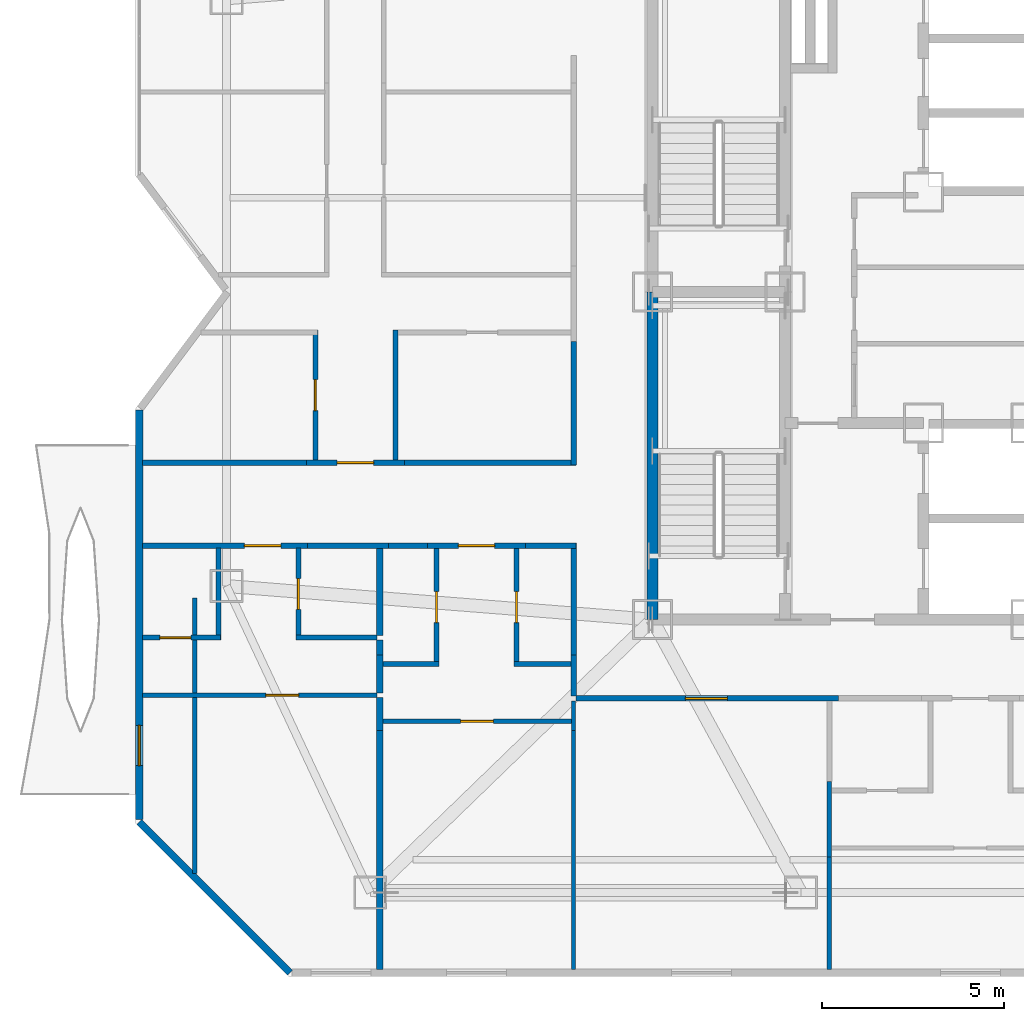
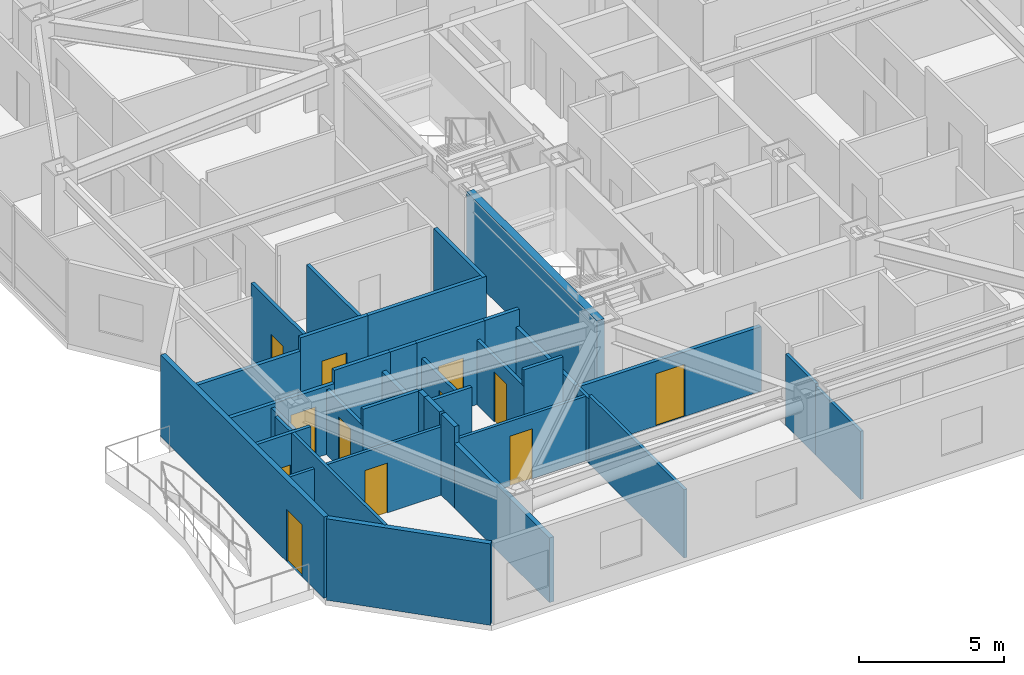
# One storey, part 14 of 21: 37 walls, 12 doors, 12 openings.
"""IFC4 building model written with IfcOpenShell, lengths in metres."""

from ifc_helpers import new_model, si_unit, direction, frame, frame_2d, origin, place, context, subcontext, project, spatial, rectangle, extrude, material, layer, layer_set, type_object, element, fill, save


model = new_model("IFC4")

# Units and contexts
model_context = context("Model", 3, precision=1e-05, world=origin(), true_north=direction((0.0, 1.0)))
body_context = subcontext(model_context, "Body", "Model", "MODEL_VIEW")
ifc_project = project(units=[si_unit("LENGTHUNIT", "METRE"), si_unit("AREAUNIT", "SQUARE_METRE"), si_unit("VOLUMEUNIT", "CUBIC_METRE"), si_unit("PLANEANGLEUNIT", "RADIAN"), si_unit("MASSUNIT", "GRAM", prefix="KILO")], contexts=[model_context])

# Site, building, storey
site_placement = place(None, origin())
site = spatial("IfcSite", under=ifc_project, at=site_placement, CompositionType="ELEMENT")
building_placement = place(site_placement, origin())
building = spatial("IfcBuilding", under=site, at=building_placement, Name="Khamvora Tower", CompositionType="ELEMENT")
storey_placement = place(building_placement, frame((0.0, 0.0, 159.550048828125)))
storey = spatial("IfcBuildingStorey", under=building, at=storey_placement, Name="L40", CompositionType="ELEMENT", Elevation=159.550048828125)

# Wall
ifc_material_1 = material(Name="Concrete C50/60", Category="concrete")
ifc_layer_1 = layer(ifc_material_1, 0.300048828125)
ifc_layer_set_1 = layer_set([ifc_layer_1], Name="Concrete C50/60")
wall_type_1 = type_object("IfcWallType", Name="WAL-CORE-300", PredefinedType="SHEAR", material=ifc_layer_set_1)
wall_1_placement = place(storey_placement, frame((29.0, 19.0, 0.0), z_axis=(0.0, 0.0, 1.0), x_axis=(0.0, 1.0, 0.0)))
element("IfcWall", 1, at=wall_1_placement, inside=storey, type_object=wall_type_1, Name="L40 central core west south wall", PredefinedType="SHEAR", context=body_context, shape_type="SweptSolid", body=[
    extrude(rectangle(XDim=9.0, YDim=0.300048828125, at=frame_2d((4.5, 0.0))), origin(), (0.0, 0.0, 1.0), 3.429931640625),
])

# Wall, opening, door
ifc_material_2 = material(Name="Fire-Rated Drywall and Steel Stud", Category="steel")
ifc_layer_2 = layer(ifc_material_2, 0.14990234375)
ifc_layer_set_2 = layer_set([ifc_layer_2], Name="Fire-Rated Drywall and Steel Stud")
wall_type_2 = type_object("IfcWallType", Name="WAL-CORR-150", PredefinedType="STANDARD", material=ifc_layer_set_2)
wall_2_placement = place(storey_placement, frame((34.114013671875, 16.8349609375, 0.0), z_axis=(0.0, 0.0, 1.0), x_axis=(-1.0, 0.0, 0.0)))
wall_2 = element("IfcWall", 2, at=wall_2_placement, inside=storey, type_object=wall_type_2, Name="L40 interior partition wall 007", PredefinedType="STANDARD", context=body_context, shape_type="SweptSolid", body=[
    extrude(rectangle(XDim=7.214111328125, YDim=0.14990234375, at=frame_2d((3.60693359375, 0.0))), origin(), (0.0, 0.0, 1.0), 2.724853515625),
])
opening_1_placement = place(wall_2_placement, frame((3.052978515625, 0.0, 0.0)))
opening_1 = element("IfcOpeningElement", 3, at=opening_1_placement, cuts=wall_2, Name="Opening D-SC1", PredefinedType="OPENING", context=body_context, shape_type="SweptSolid", body=[
    extrude(rectangle(XDim=1.14990234375, YDim=2.199951171875, at=frame_2d((0.574951171875, 1.10009765625))), frame((0.0, 0.0849609375, 0.0), z_axis=(0.0, -1.0, 0.0), x_axis=(1.0, 0.0, 0.0)), (0.0, 0.0, 1.0), 0.169921875),
])
ifc_material_3 = material(Name="Powder-Coated Steel and Hardwood Leaf", Category="steel")
door_type_1 = type_object("IfcDoorType", Name="DOR-SCHL-1150", OperationType="NOTDEFINED", PredefinedType="DOOR", material=ifc_material_3)
door_1_placement = place(opening_1_placement, origin())
door_1 = element("IfcDoor", 4, at=door_1_placement, inside=storey, type_object=door_type_1, Name="L40 interior door COR-RLIB", OperationType="SINGLE_SWING_LEFT", OverallHeight=2.199951171875, OverallWidth=1.14990234375, PredefinedType="DOOR", context=body_context, shape_type="SweptSolid", body=[
    extrude(rectangle(XDim=1.14990234375, YDim=2.199951171875, at=frame_2d((0.574951171875, 1.10009765625))), frame((0.0, 0.02490234375, 0.0), z_axis=(0.0, -1.0, 0.0), x_axis=(1.0, 0.0, 0.0)), (0.0, 0.0, 1.0), 0.050048828125),
])
fill(opening_1, door_1)

wall_3_placement = place(storey_placement, frame((19.52392578125, 21.034912109375, 0.0), z_axis=(0.0, 0.0, 1.0), x_axis=(-1.0, 0.0, 0.0)))
wall_3 = element("IfcWall", 5, at=wall_3_placement, inside=storey, type_object=wall_type_2, Name="L40 interior partition wall 008", PredefinedType="STANDARD", context=body_context, shape_type="SweptSolid", body=[
    extrude(rectangle(XDim=4.531982421875, YDim=0.14990234375, at=frame_2d((2.26611328125, 0.0))), origin(), (0.0, 0.0, 1.0), 2.8759765625),
])
opening_2_placement = place(wall_3_placement, frame((0.73388671875, 0.0, 0.0)))
opening_2 = element("IfcOpeningElement", 6, at=opening_2_placement, cuts=wall_3, Name="Opening D-U1", PredefinedType="OPENING", context=body_context, shape_type="SweptSolid", body=[
    extrude(rectangle(XDim=1.0, YDim=2.14990234375, at=frame_2d((0.5, 1.074951171875))), frame((0.0, 0.0849609375, 0.0), z_axis=(0.0, -1.0, 0.0), x_axis=(1.0, 0.0, 0.0)), (0.0, 0.0, 1.0), 0.169921875),
])
door_type_2 = type_object("IfcDoorType", Name="DOR-UNIT-1000", OperationType="NOTDEFINED", PredefinedType="DOOR", material=ifc_material_3)
door_2_placement = place(opening_2_placement, origin())
door_2 = element("IfcDoor", 7, at=door_2_placement, inside=storey, type_object=door_type_2, Name="L40 interior door COR-40WAH", OperationType="SINGLE_SWING_LEFT", OverallHeight=2.14990234375, OverallWidth=1.0, PredefinedType="DOOR", context=body_context, shape_type="SweptSolid", body=[
    extrude(rectangle(XDim=1.0, YDim=2.14990234375, at=frame_2d((0.5, 1.074951171875))), frame((0.0, 0.02490234375, 0.0), z_axis=(0.0, -1.0, 0.0), x_axis=(1.0, 0.0, 0.0)), (0.0, 0.0, 1.0), 0.050048828125),
])
fill(opening_2, door_2)

# Walls
wall_4_placement = place(storey_placement, frame((21.75390625, 21.034912109375, 0.0), z_axis=(0.0, 0.0, 1.0), x_axis=(-1.0, 0.0, 0.0)))
element("IfcWall", 8, at=wall_4_placement, inside=storey, type_object=wall_type_2, Name="L40 interior partition wall 009", PredefinedType="STANDARD", context=body_context, shape_type="SweptSolid", body=[
    extrude(rectangle(XDim=2.22998046875, YDim=0.14990234375, at=frame_2d((1.114990234375, 0.0))), origin(), (0.0, 0.0, 1.0), 3.429931640625),
])
wall_5_placement = place(storey_placement, frame((26.8349609375, 16.89990234375, 0.0), z_axis=(0.0, 0.0, 1.0), x_axis=(0.0, 1.0, 0.0)))
element("IfcWall", 9, at=wall_5_placement, inside=storey, type_object=wall_type_2, Name="L40 interior partition wall 010", PredefinedType="STANDARD", context=body_context, shape_type="SweptSolid", body=[
    extrude(rectangle(XDim=1.135009765625, YDim=0.14990234375, at=frame_2d((0.5673828125, 0.0))), origin(), (0.0, 0.0, 1.0), 2.724853515625),
])

# Wall, opening, door
wall_6_placement = place(storey_placement, frame((25.51904296875, 21.034912109375, 0.0), z_axis=(0.0, 0.0, 1.0), x_axis=(-1.0, 0.0, 0.0)))
wall_6 = element("IfcWall", 10, at=wall_6_placement, inside=storey, type_object=wall_type_2, Name="L40 interior partition wall 011", PredefinedType="STANDARD", context=body_context, shape_type="SweptSolid", body=[
    extrude(rectangle(XDim=2.697998046875, YDim=0.14990234375, at=frame_2d((1.34912109375, 0.0))), origin(), (0.0, 0.0, 1.0), 3.429931640625),
])
opening_3_placement = place(wall_6_placement, frame((0.84912109375, 0.0, 0.0)))
opening_3 = element("IfcOpeningElement", 11, at=opening_3_placement, cuts=wall_6, Name="Opening D-U1", PredefinedType="OPENING", context=body_context, shape_type="SweptSolid", body=[
    extrude(rectangle(XDim=1.0, YDim=2.14990234375, at=frame_2d((0.5, 1.074951171875))), frame((0.0, 0.0849609375, 0.0), z_axis=(0.0, -1.0, 0.0), x_axis=(1.0, 0.0, 0.0)), (0.0, 0.0, 1.0), 0.169921875),
])
door_3_placement = place(opening_3_placement, origin())
door_3 = element("IfcDoor", 12, at=door_3_placement, inside=storey, type_object=door_type_2, Name="L40 interior door COR-40WBH", OperationType="SINGLE_SWING_RIGHT", OverallHeight=2.14990234375, OverallWidth=1.0, PredefinedType="DOOR", context=body_context, shape_type="SweptSolid", body=[
    extrude(rectangle(XDim=1.0, YDim=2.14990234375, at=frame_2d((0.5, 1.074951171875))), frame((0.0, 0.02490234375, 0.0), z_axis=(0.0, -1.0, 0.0), x_axis=(1.0, 0.0, 0.0)), (0.0, 0.0, 1.0), 0.050048828125),
])
fill(opening_3, door_3)

# Walls
wall_7_placement = place(storey_placement, frame((26.8349609375, 18.034912109375, 0.0), z_axis=(0.0, 0.0, 1.0), x_axis=(0.0, 1.0, 0.0)))
element("IfcWall", 13, at=wall_7_placement, inside=storey, type_object=wall_type_2, Name="L40 interior partition wall 012", PredefinedType="STANDARD", context=body_context, shape_type="SweptSolid", body=[
    extrude(rectangle(XDim=3.065185546875, YDim=0.14990234375, at=frame_2d((1.53271484375, 0.0))), origin(), (0.0, 0.0, 1.0), 2.724853515625),
])
wall_8_placement = place(storey_placement, frame((26.89794921875, 21.034912109375, 0.0), z_axis=(0.0, 0.0, 1.0), x_axis=(-1.0, 0.0, 0.0)))
element("IfcWall", 14, at=wall_8_placement, inside=storey, type_object=wall_type_2, Name="L40 interior partition wall 013", PredefinedType="STANDARD", context=body_context, shape_type="SweptSolid", body=[
    extrude(rectangle(XDim=1.37890625, YDim=0.14990234375, at=frame_2d((0.689453125, 0.0))), origin(), (0.0, 0.0, 1.0), 3.429931640625),
])
wall_9_placement = place(storey_placement, frame((22.821044921875, 21.034912109375, 0.0), z_axis=(0.0, 0.0, 1.0), x_axis=(-1.0, 0.0, 0.0)))
element("IfcWall", 15, at=wall_9_placement, inside=storey, type_object=wall_type_2, Name="L40 interior partition wall 014", PredefinedType="STANDARD", context=body_context, shape_type="SweptSolid", body=[
    extrude(rectangle(XDim=1.067138671875, YDim=0.14990234375, at=frame_2d((0.53369140625, 0.0))), origin(), (0.0, 0.0, 1.0), 3.429931640625),
])

# Wall, opening, door
wall_10_placement = place(storey_placement, frame((19.490966796875, 23.31494140625, 0.0), z_axis=(0.0, 0.0, 1.0), x_axis=(1.0, 0.0, 0.0)))
wall_10 = element("IfcWall", 16, at=wall_10_placement, inside=storey, type_object=wall_type_2, Name="L40 interior partition wall 015", PredefinedType="STANDARD", context=body_context, shape_type="SweptSolid", body=[
    extrude(rectangle(XDim=2.697998046875, YDim=0.14990234375, at=frame_2d((1.34912109375, 0.0))), origin(), (0.0, 0.0, 1.0), 3.429931640625),
])
opening_4_placement = place(wall_10_placement, frame((0.84912109375, 0.0, 0.0)))
opening_4 = element("IfcOpeningElement", 17, at=opening_4_placement, cuts=wall_10, Name="Opening D-U1", PredefinedType="OPENING", context=body_context, shape_type="SweptSolid", body=[
    extrude(rectangle(XDim=1.0, YDim=2.14990234375, at=frame_2d((0.5, 1.074951171875))), frame((0.0, 0.0849609375, 0.0), z_axis=(0.0, -1.0, 0.0), x_axis=(1.0, 0.0, 0.0)), (0.0, 0.0, 1.0), 0.169921875),
])
door_4_placement = place(opening_4_placement, origin())
door_4 = element("IfcDoor", 18, at=door_4_placement, inside=storey, type_object=door_type_2, Name="L40 interior door COR-40WCH", OperationType="SINGLE_SWING_LEFT", OverallHeight=2.14990234375, OverallWidth=1.0, PredefinedType="DOOR", context=body_context, shape_type="SweptSolid", body=[
    extrude(rectangle(XDim=1.0, YDim=2.14990234375, at=frame_2d((0.5, 1.074951171875))), frame((0.0, 0.02490234375, 0.0), z_axis=(0.0, -1.0, 0.0), x_axis=(1.0, 0.0, 0.0)), (0.0, 0.0, 1.0), 0.050048828125),
])
fill(opening_4, door_4)

# Walls
wall_11_placement = place(storey_placement, frame((14.991943359375, 23.31494140625, 0.0), z_axis=(0.0, 0.0, 1.0), x_axis=(1.0, 0.0, 0.0)))
element("IfcWall", 19, at=wall_11_placement, inside=storey, type_object=wall_type_2, Name="L40 interior partition wall 017", PredefinedType="STANDARD", context=body_context, shape_type="SweptSolid", body=[
    extrude(rectangle(XDim=4.4990234375, YDim=0.14990234375, at=frame_2d((2.24951171875, 0.0))), origin(), (0.0, 0.0, 1.0), 2.8759765625),
])
wall_12_placement = place(storey_placement, frame((22.18896484375, 23.31494140625, 0.0), z_axis=(0.0, 0.0, 1.0), x_axis=(1.0, 0.0, 0.0)))
element("IfcWall", 20, at=wall_12_placement, inside=storey, type_object=wall_type_2, Name="L40 interior partition wall 018", PredefinedType="STANDARD", context=body_context, shape_type="SweptSolid", body=[
    extrude(rectangle(XDim=4.7109375, YDim=0.14990234375, at=frame_2d((2.35546875, 0.0))), origin(), (0.0, 0.0, 1.0), 3.429931640625),
])
wall_13_placement = place(storey_placement, frame((26.8349609375, 23.25, 0.0), z_axis=(0.0, 0.0, 1.0), x_axis=(0.0, 1.0, 0.0)))
element("IfcWall", 21, at=wall_13_placement, inside=storey, type_object=wall_type_2, Name="L40 interior partition wall 019", PredefinedType="STANDARD", context=body_context, shape_type="SweptSolid", body=[
    extrude(rectangle(XDim=3.39599609375, YDim=0.14990234375, at=frame_2d((1.697998046875, 0.0))), origin(), (0.0, 0.0, 1.0), 3.429931640625),
])
ifc_material_4 = material(Name="Acoustic Double-Stud Fire Wall", Category="gypsum")
ifc_layer_3 = layer(ifc_material_4, 0.179931640625)
ifc_layer_set_3 = layer_set([ifc_layer_3], Name="Acoustic Double-Stud Fire Wall")
wall_type_3 = type_object("IfcWallType", Name="WAL-CORR-180", PredefinedType="STANDARD", material=ifc_layer_set_3)
wall_14_placement = place(storey_placement, frame((21.5048828125, 18.034912109375, 0.0), z_axis=(0.0, 0.0, 1.0), x_axis=(0.0, -1.0, 0.0)))
element("IfcWall", 22, at=wall_14_placement, inside=storey, type_object=wall_type_3, Name="L40 interior partition wall 057", PredefinedType="STANDARD", context=body_context, shape_type="SweptSolid", body=[
    extrude(rectangle(XDim=1.044921875, YDim=0.179931640625, at=frame_2d((0.5224609375, 0.0))), origin(), (0.0, 0.0, 1.0), 3.429931640625),
])
wall_15_placement = place(storey_placement, frame((21.5048828125, 18.43994140625, 0.0), z_axis=(0.0, 0.0, 1.0), x_axis=(0.0, -1.0, 0.0)))
element("IfcWall", 23, at=wall_15_placement, inside=storey, type_object=wall_type_3, Name="L40 interior partition wall 058", PredefinedType="STANDARD", context=body_context, shape_type="SweptSolid", body=[
    extrude(rectangle(XDim=0.405029296875, YDim=0.179931640625, at=frame_2d((0.20263671875, 0.0))), origin(), (0.0, 0.0, 1.0), 3.429931640625),
])
wall_16_placement = place(storey_placement, frame((21.5048828125, 20.969970703125, 0.0), z_axis=(0.0, 0.0, 1.0), x_axis=(0.0, -1.0, 0.0)))
element("IfcWall", 24, at=wall_16_placement, inside=storey, type_object=wall_type_3, Name="L40 interior partition wall 059", PredefinedType="STANDARD", context=body_context, shape_type="SweptSolid", body=[
    extrude(rectangle(XDim=2.39990234375, YDim=0.179931640625, at=frame_2d((1.199951171875, 0.0))), origin(), (0.0, 0.0, 1.0), 2.724853515625),
])
wall_17_placement = place(storey_placement, frame((21.5048828125, 16.860107421875, 0.0), z_axis=(0.0, 0.0, 1.0), x_axis=(0.0, -1.0, 0.0)))
element("IfcWall", 25, at=wall_17_placement, inside=storey, type_object=wall_type_3, Name="L40 interior partition wall 060", PredefinedType="STANDARD", context=body_context, shape_type="SweptSolid", body=[
    extrude(rectangle(XDim=0.903076171875, YDim=0.179931640625, at=frame_2d((0.45166015625, 0.0))), origin(), (0.0, 0.0, 1.0), 3.429931640625),
])
wall_18_placement = place(storey_placement, frame((21.5048828125, 15.95703125, 0.0), z_axis=(0.0, 0.0, 1.0), x_axis=(0.0, -1.0, 0.0)))
element("IfcWall", 26, at=wall_18_placement, inside=storey, type_object=wall_type_3, Name="L40 interior partition wall 061", PredefinedType="STANDARD", context=body_context, shape_type="SweptSolid", body=[
    extrude(rectangle(XDim=6.56494140625, YDim=0.179931640625, at=frame_2d((3.282470703125, 0.0))), origin(), (0.0, 0.0, 1.0), 2.724853515625),
])
ifc_material_5 = material(Name="Precast concrete C40/50", Category="concrete")
ifc_layer_4 = layer(ifc_material_5, 0.199951171875)
ifc_layer_set_4 = layer_set([ifc_layer_4], Name="Precast concrete C40/50")
wall_type_4 = type_object("IfcWallType", Name="WAL-EXT-200", PredefinedType="STANDARD", material=ifc_layer_set_4)
wall_19_placement = place(storey_placement, frame((19.041015625, 9.300048828125, 0.0), z_axis=(0.0, 0.0, 1.0), x_axis=(-0.707127625344, 0.707085936414, 0.0)))
element("IfcWall", 27, at=wall_19_placement, inside=storey, type_object=wall_type_4, Name="L40 exterior facade wall 01.1", PredefinedType="STANDARD", context=body_context, shape_type="SweptSolid", body=[
    extrude(rectangle(XDim=5.856201171875, YDim=0.199951171875, at=frame_2d((2.92822265625, 0.0))), origin(), (0.0, 0.0, 1.0), 3.429931640625),
])

# Wall, opening, door
wall_20_placement = place(storey_placement, frame((14.89990234375, 13.50390625, 0.0), z_axis=(0.0, 0.0, 1.0), x_axis=(0.0, 1.0, 0.0)))
wall_20 = element("IfcWall", 28, at=wall_20_placement, inside=storey, type_object=wall_type_4, Name="L40 exterior facade wall 02.1", PredefinedType="STANDARD", context=body_context, shape_type="SweptSolid", body=[
    extrude(rectangle(XDim=11.26318359375, YDim=0.199951171875, at=frame_2d((5.631591796875, 0.0))), origin(), (0.0, 0.0, 1.0), 3.429931640625),
])
opening_5_placement = place(wall_20_placement, frame((1.488037109375, 0.0, 0.0)))
opening_5 = element("IfcOpeningElement", 29, at=opening_5_placement, cuts=wall_20, Name="Opening BD-01", PredefinedType="OPENING", context=body_context, shape_type="SweptSolid", body=[
    extrude(rectangle(XDim=1.10009765625, YDim=2.199951171875, at=frame_2d((0.550048828125, 1.10009765625))), frame((0.0, 0.10986328125, 0.0), z_axis=(0.0, -1.0, 0.0), x_axis=(1.0, 0.0, 0.0)), (0.0, 0.0, 1.0), 0.219970703125),
])
ifc_material_6 = material(Name="Anodised Aluminium and Laminated Safety Glass", Category="aluminium")
door_type_3 = type_object("IfcDoorType", Name="DOR-BAL-1100", OperationType="NOTDEFINED", PredefinedType="DOOR", material=ifc_material_6)
door_5_placement = place(opening_5_placement, origin())
door_5 = element("IfcDoor", 30, at=door_5_placement, inside=storey, type_object=door_type_3, Name="L40 lens gallery balcony door WL1", OperationType="SLIDING_TO_LEFT", OverallHeight=2.199951171875, OverallWidth=1.10009765625, PredefinedType="DOOR", context=body_context, shape_type="SweptSolid", body=[
    extrude(rectangle(XDim=1.10009765625, YDim=2.199951171875, at=frame_2d((0.550048828125, 1.10009765625))), frame((0.0, 0.02490234375, 0.0), z_axis=(0.0, -1.0, 0.0), x_axis=(1.0, 0.0, 0.0)), (0.0, 0.0, 1.0), 0.050048828125),
])
fill(opening_5, door_5)

# Walls
ifc_material_7 = material(Name="Gypsum Plasterboard Partition", Category="gypsum")
ifc_layer_5 = layer(ifc_material_7, 0.1201171875)
ifc_layer_set_5 = layer_set([ifc_layer_5], Name="Gypsum Plasterboard Partition")
wall_type_5 = type_object("IfcWallType", Name="WAL-PART-120", PredefinedType="PARTITIONING", material=ifc_layer_set_5)
wall_21_placement = place(storey_placement, frame((26.8349609375, 15.95703125, 0.0), z_axis=(0.0, 0.0, 1.0), x_axis=(0.0, 1.0, 0.0)))
element("IfcWall", 31, at=wall_21_placement, inside=storey, type_object=wall_type_5, Name="L40 interior partition wall 046", PredefinedType="PARTITIONING", context=body_context, shape_type="SweptSolid", body=[
    extrude(rectangle(XDim=0.81298828125, YDim=0.1201171875, at=frame_2d((0.406494140625, 0.0))), origin(), (0.0, 0.0, 1.0), 2.724853515625),
])
wall_22_placement = place(storey_placement, frame((26.8349609375, 9.39208984375, 0.0), z_axis=(0.0, 0.0, 1.0), x_axis=(0.0, 1.0, 0.0)))
element("IfcWall", 32, at=wall_22_placement, inside=storey, type_object=wall_type_5, Name="L40 interior partition wall 047", PredefinedType="PARTITIONING", context=body_context, shape_type="SweptSolid", body=[
    extrude(rectangle(XDim=6.56494140625, YDim=0.1201171875, at=frame_2d((3.282470703125, 0.0))), origin(), (0.0, 0.0, 1.0), 2.8759765625),
])
wall_23_placement = place(storey_placement, frame((33.864990234375, 14.553955078125, 0.0), z_axis=(0.0, 0.0, 1.0), x_axis=(0.0, -1.0, 0.0)))
element("IfcWall", 33, at=wall_23_placement, inside=storey, type_object=wall_type_5, Name="L40 interior partition wall 048", PredefinedType="PARTITIONING", context=body_context, shape_type="SweptSolid", body=[
    extrude(rectangle(XDim=2.077880859375, YDim=0.1201171875, at=frame_2d((1.0390625, 0.0))), origin(), (0.0, 0.0, 1.0), 3.012939453125),
])
wall_24_placement = place(storey_placement, frame((33.864990234375, 12.47607421875, 0.0), z_axis=(0.0, 0.0, 1.0), x_axis=(0.0, -1.0, 0.0)))
element("IfcWall", 34, at=wall_24_placement, inside=storey, type_object=wall_type_5, Name="L40 interior partition wall 050", PredefinedType="PARTITIONING", context=body_context, shape_type="SweptSolid", body=[
    extrude(rectangle(XDim=3.083984375, YDim=0.1201171875, at=frame_2d((1.5419921875, 0.0))), origin(), (0.0, 0.0, 1.0), 2.8759765625),
])

# Wall, opening, door
wall_25_placement = place(storey_placement, frame((21.43994140625, 16.925048828125, 0.0), z_axis=(0.0, 0.0, 1.0), x_axis=(-1.0, 0.0, 0.0)))
wall_25 = element("IfcWall", 35, at=wall_25_placement, inside=storey, type_object=wall_type_5, Name="L40 interior partition wall 055", PredefinedType="PARTITIONING", context=body_context, shape_type="SweptSolid", body=[
    extrude(rectangle(XDim=6.447998046875, YDim=0.1201171875, at=frame_2d((3.22412109375, 0.0))), origin(), (0.0, 0.0, 1.0), 2.8759765625),
])
opening_6_placement = place(wall_25_placement, frame((2.160888671875, 0.0, 0.0)))
opening_6 = element("IfcOpeningElement", 36, at=opening_6_placement, cuts=wall_25, Name="Opening D-RM1", PredefinedType="OPENING", context=body_context, shape_type="SweptSolid", body=[
    extrude(rectangle(XDim=0.89990234375, YDim=2.10009765625, at=frame_2d((0.449951171875, 1.050048828125))), frame((0.0, 0.070068359375, 0.0), z_axis=(0.0, -1.0, 0.0), x_axis=(1.0, 0.0, 0.0)), (0.0, 0.0, 1.0), 0.14013671875),
])
door_type_4 = type_object("IfcDoorType", Name="DOR-ROOM-900", OperationType="NOTDEFINED", PredefinedType="DOOR", material=ifc_material_3)
door_6_placement = place(opening_6_placement, origin())
door_6 = element("IfcDoor", 37, at=door_6_placement, inside=storey, type_object=door_type_4, Name="L40 interior door 40WAH-40WAR1", OperationType="SINGLE_SWING_LEFT", OverallHeight=2.10009765625, OverallWidth=0.89990234375, PredefinedType="DOOR", context=body_context, shape_type="SweptSolid", body=[
    extrude(rectangle(XDim=0.89990234375, YDim=2.10009765625, at=frame_2d((0.449951171875, 1.050048828125))), frame((0.0, 0.02490234375, 0.0), z_axis=(0.0, -1.0, 0.0), x_axis=(1.0, 0.0, 0.0)), (0.0, 0.0, 1.0), 0.050048828125),
])
fill(opening_6, door_6)

# Wall
wall_26_placement = place(storey_placement, frame((16.425048828125, 19.590087890625, 0.0), z_axis=(0.0, 0.0, 1.0), x_axis=(0.0, -1.0, 0.0)))
element("IfcWall", 38, at=wall_26_placement, inside=storey, type_object=wall_type_5, Name="L40 interior partition wall 056", PredefinedType="PARTITIONING", context=body_context, shape_type="SweptSolid", body=[
    extrude(rectangle(XDim=7.55908203125, YDim=0.1201171875, at=frame_2d((3.779541015625, 0.0))), origin(), (0.0, 0.0, 1.0), 3.429931640625),
])

# Wall, opening, door
wall_27_placement = place(storey_placement, frame((26.781005859375, 16.2060546875, 0.0), z_axis=(0.0, 0.0, 1.0), x_axis=(-1.0, 0.0, 0.0)))
wall_27 = element("IfcWall", 39, at=wall_27_placement, inside=storey, type_object=wall_type_5, Name="L40 interior partition wall 066", PredefinedType="PARTITIONING", context=body_context, shape_type="SweptSolid", body=[
    extrude(rectangle(XDim=5.194091796875, YDim=0.1201171875, at=frame_2d((2.59716796875, 0.0))), origin(), (0.0, 0.0, 1.0), 2.724853515625),
])
opening_7_placement = place(wall_27_placement, frame((2.14697265625, 0.0, 0.0)))
opening_7 = element("IfcOpeningElement", 40, at=opening_7_placement, cuts=wall_27, Name="Opening D-RM1", PredefinedType="OPENING", context=body_context, shape_type="SweptSolid", body=[
    extrude(rectangle(XDim=0.89990234375, YDim=2.10009765625, at=frame_2d((0.449951171875, 1.050048828125))), frame((0.0, 0.070068359375, 0.0), z_axis=(0.0, -1.0, 0.0), x_axis=(1.0, 0.0, 0.0)), (0.0, 0.0, 1.0), 0.14013671875),
])
door_7_placement = place(opening_7_placement, origin())
door_7 = element("IfcDoor", 41, at=door_7_placement, inside=storey, type_object=door_type_4, Name="L40 interior door 40WBH-40WBR1", OperationType="SINGLE_SWING_RIGHT", OverallHeight=2.10009765625, OverallWidth=0.89990234375, PredefinedType="DOOR", context=body_context, shape_type="SweptSolid", body=[
    extrude(rectangle(XDim=0.89990234375, YDim=2.10009765625, at=frame_2d((0.449951171875, 1.050048828125))), frame((0.0, 0.02490234375, 0.0), z_axis=(0.0, -1.0, 0.0), x_axis=(1.0, 0.0, 0.0)), (0.0, 0.0, 1.0), 0.050048828125),
])
fill(opening_7, door_7)

ifc_material_8 = material(Name="Moisture-Resistant Plasterboard Partition", Category="gypsum")
ifc_layer_6 = layer(ifc_material_8, 0.135009765625)
ifc_layer_set_6 = layer_set([ifc_layer_6], Name="Moisture-Resistant Plasterboard Partition")
wall_type_6 = type_object("IfcWallType", Name="WAL-WET-135", PredefinedType="PARTITIONING", material=ifc_layer_set_6)
wall_28_placement = place(storey_placement, frame((14.991943359375, 18.5048828125, 0.0), z_axis=(0.0, 0.0, 1.0), x_axis=(1.0, 0.0, 0.0)))
wall_28 = element("IfcWall", 42, at=wall_28_placement, inside=storey, type_object=wall_type_6, Name="L40 interior partition wall 051", PredefinedType="PARTITIONING", context=body_context, shape_type="SweptSolid", body=[
    extrude(rectangle(XDim=2.14794921875, YDim=0.135009765625, at=frame_2d((1.073974609375, 0.0))), origin(), (0.0, 0.0, 1.0), 3.429931640625),
])
opening_8_placement = place(wall_28_placement, frame((0.47802734375, 0.0, 0.0)))
opening_8 = element("IfcOpeningElement", 43, at=opening_8_placement, cuts=wall_28, Name="Opening D-WC1", PredefinedType="OPENING", context=body_context, shape_type="SweptSolid", body=[
    extrude(rectangle(XDim=0.85009765625, YDim=2.10009765625, at=frame_2d((0.425048828125, 1.050048828125))), frame((0.0, 0.077392578125, 0.0), z_axis=(0.0, -1.0, 0.0), x_axis=(1.0, 0.0, 0.0)), (0.0, 0.0, 1.0), 0.155029296875),
])
door_type_5 = type_object("IfcDoorType", Name="DOR-WET-850", OperationType="NOTDEFINED", PredefinedType="DOOR", material=ifc_material_3)
door_8_placement = place(opening_8_placement, origin())
door_8 = element("IfcDoor", 44, at=door_8_placement, inside=storey, type_object=door_type_5, Name="L40 interior door 40WAH-40WAB", OperationType="SINGLE_SWING_LEFT", OverallHeight=2.10009765625, OverallWidth=0.85009765625, PredefinedType="DOOR", context=body_context, shape_type="SweptSolid", body=[
    extrude(rectangle(XDim=0.85009765625, YDim=2.10009765625, at=frame_2d((0.425048828125, 1.050048828125))), frame((0.0, 0.02490234375, 0.0), z_axis=(0.0, -1.0, 0.0), x_axis=(1.0, 0.0, 0.0)), (0.0, 0.0, 1.0), 0.050048828125),
])
fill(opening_8, door_8)

# Wall
wall_29_placement = place(storey_placement, frame((17.074951171875, 18.43994140625, 0.0), z_axis=(0.0, 0.0, 1.0), x_axis=(0.0, 1.0, 0.0)))
element("IfcWall", 45, at=wall_29_placement, inside=storey, type_object=wall_type_6, Name="L40 interior partition wall 052", PredefinedType="PARTITIONING", context=body_context, shape_type="SweptSolid", body=[
    extrude(rectangle(XDim=2.530029296875, YDim=0.135009765625, at=frame_2d((1.26513671875, 0.0))), origin(), (0.0, 0.0, 1.0), 2.724853515625),
])

# Wall, opening, door
wall_30_placement = place(storey_placement, frame((19.27490234375, 20.969970703125, 0.0), z_axis=(0.0, 0.0, 1.0), x_axis=(0.0, -1.0, 0.0)))
wall_30 = element("IfcWall", 46, at=wall_30_placement, inside=storey, type_object=wall_type_6, Name="L40 interior partition wall 053", PredefinedType="PARTITIONING", context=body_context, shape_type="SweptSolid", body=[
    extrude(rectangle(XDim=2.530029296875, YDim=0.135009765625, at=frame_2d((1.26513671875, 0.0))), origin(), (0.0, 0.0, 1.0), 2.724853515625),
])
opening_9_placement = place(wall_30_placement, frame((0.840087890625, 0.0, 0.0)))
opening_9 = element("IfcOpeningElement", 47, at=opening_9_placement, cuts=wall_30, Name="Opening D-RM2", PredefinedType="OPENING", context=body_context, shape_type="SweptSolid", body=[
    extrude(rectangle(XDim=0.85009765625, YDim=2.10009765625, at=frame_2d((0.425048828125, 1.050048828125))), frame((0.0, 0.077392578125, 0.0), z_axis=(0.0, -1.0, 0.0), x_axis=(1.0, 0.0, 0.0)), (0.0, 0.0, 1.0), 0.155029296875),
])
door_type_6 = type_object("IfcDoorType", Name="DOR-ROOM-850", OperationType="NOTDEFINED", PredefinedType="DOOR", material=ifc_material_3)
door_9_placement = place(opening_9_placement, origin())
door_9 = element("IfcDoor", 48, at=door_9_placement, inside=storey, type_object=door_type_6, Name="L40 interior door 40WAH-40WAK", OperationType="SINGLE_SWING_RIGHT", OverallHeight=2.10009765625, OverallWidth=0.85009765625, PredefinedType="DOOR", context=body_context, shape_type="SweptSolid", body=[
    extrude(rectangle(XDim=0.85009765625, YDim=2.10009765625, at=frame_2d((0.425048828125, 1.050048828125))), frame((0.0, 0.02490234375, 0.0), z_axis=(0.0, -1.0, 0.0), x_axis=(1.0, 0.0, 0.0)), (0.0, 0.0, 1.0), 0.050048828125),
])
fill(opening_9, door_9)

# Wall
wall_31_placement = place(storey_placement, frame((19.2099609375, 18.5048828125, 0.0), z_axis=(0.0, 0.0, 1.0), x_axis=(1.0, 0.0, 0.0)))
element("IfcWall", 49, at=wall_31_placement, inside=storey, type_object=wall_type_6, Name="L40 interior partition wall 054", PredefinedType="PARTITIONING", context=body_context, shape_type="SweptSolid", body=[
    extrude(rectangle(XDim=2.22998046875, YDim=0.135009765625, at=frame_2d((1.114990234375, 0.0))), origin(), (0.0, 0.0, 1.0), 3.429931640625),
])

# Wall, opening, door
wall_32_placement = place(storey_placement, frame((25.27001953125, 20.969970703125, 0.0), z_axis=(0.0, 0.0, 1.0), x_axis=(0.0, -1.0, 0.0)))
wall_32 = element("IfcWall", 50, at=wall_32_placement, inside=storey, type_object=wall_type_6, Name="L40 interior partition wall 062", PredefinedType="PARTITIONING", context=body_context, shape_type="SweptSolid", body=[
    extrude(rectangle(XDim=3.2490234375, YDim=0.135009765625, at=frame_2d((1.62451171875, 0.0))), origin(), (0.0, 0.0, 1.0), 2.724853515625),
])
opening_10_placement = place(wall_32_placement, frame((1.199951171875, 0.0, 0.0)))
opening_10 = element("IfcOpeningElement", 51, at=opening_10_placement, cuts=wall_32, Name="Opening D-WC1", PredefinedType="OPENING", context=body_context, shape_type="SweptSolid", body=[
    extrude(rectangle(XDim=0.85009765625, YDim=2.10009765625, at=frame_2d((0.425048828125, 1.050048828125))), frame((0.0, 0.077392578125, 0.0), z_axis=(0.0, -1.0, 0.0), x_axis=(1.0, 0.0, 0.0)), (0.0, 0.0, 1.0), 0.155029296875),
])
door_10_placement = place(opening_10_placement, origin())
door_10 = element("IfcDoor", 52, at=door_10_placement, inside=storey, type_object=door_type_5, Name="L40 interior door 40WBH-40WBB", OperationType="SINGLE_SWING_RIGHT", OverallHeight=2.10009765625, OverallWidth=0.85009765625, PredefinedType="DOOR", context=body_context, shape_type="SweptSolid", body=[
    extrude(rectangle(XDim=0.85009765625, YDim=2.10009765625, at=frame_2d((0.425048828125, 1.050048828125))), frame((0.0, 0.02490234375, 0.0), z_axis=(0.0, -1.0, 0.0), x_axis=(1.0, 0.0, 0.0)), (0.0, 0.0, 1.0), 0.050048828125),
])
fill(opening_10, door_10)

# Walls
wall_33_placement = place(storey_placement, frame((25.205078125, 17.785888671875, 0.0), z_axis=(0.0, 0.0, 1.0), x_axis=(1.0, 0.0, 0.0)))
element("IfcWall", 53, at=wall_33_placement, inside=storey, type_object=wall_type_6, Name="L40 interior partition wall 063", PredefinedType="PARTITIONING", context=body_context, shape_type="SweptSolid", body=[
    extrude(rectangle(XDim=1.56494140625, YDim=0.135009765625, at=frame_2d((0.782470703125, 0.0))), origin(), (0.0, 0.0, 1.0), 3.429931640625),
])
wall_34_placement = place(storey_placement, frame((21.5869140625, 17.785888671875, 0.0), z_axis=(0.0, 0.0, 1.0), x_axis=(1.0, 0.0, 0.0)))
element("IfcWall", 54, at=wall_34_placement, inside=storey, type_object=wall_type_6, Name="L40 interior partition wall 064", PredefinedType="PARTITIONING", context=body_context, shape_type="SweptSolid", body=[
    extrude(rectangle(XDim=1.548095703125, YDim=0.135009765625, at=frame_2d((0.77392578125, 0.0))), origin(), (0.0, 0.0, 1.0), 3.429931640625),
])

# Wall, opening, door
wall_35_placement = place(storey_placement, frame((23.070068359375, 17.720947265625, 0.0), z_axis=(0.0, 0.0, 1.0), x_axis=(0.0, 1.0, 0.0)))
wall_35 = element("IfcWall", 55, at=wall_35_placement, inside=storey, type_object=wall_type_6, Name="L40 interior partition wall 065", PredefinedType="PARTITIONING", context=body_context, shape_type="SweptSolid", body=[
    extrude(rectangle(XDim=3.2490234375, YDim=0.135009765625, at=frame_2d((1.62451171875, 0.0))), origin(), (0.0, 0.0, 1.0), 2.724853515625),
])
opening_11_placement = place(wall_35_placement, frame((1.199951171875, 0.0, 0.0)))
opening_11 = element("IfcOpeningElement", 56, at=opening_11_placement, cuts=wall_35, Name="Opening D-RM2", PredefinedType="OPENING", context=body_context, shape_type="SweptSolid", body=[
    extrude(rectangle(XDim=0.85009765625, YDim=2.10009765625, at=frame_2d((0.425048828125, 1.050048828125))), frame((0.0, 0.077392578125, 0.0), z_axis=(0.0, -1.0, 0.0), x_axis=(1.0, 0.0, 0.0)), (0.0, 0.0, 1.0), 0.155029296875),
])
door_11_placement = place(opening_11_placement, origin())
door_11 = element("IfcDoor", 57, at=door_11_placement, inside=storey, type_object=door_type_6, Name="L40 interior door 40WBH-40WBK", OperationType="SINGLE_SWING_LEFT", OverallHeight=2.10009765625, OverallWidth=0.85009765625, PredefinedType="DOOR", context=body_context, shape_type="SweptSolid", body=[
    extrude(rectangle(XDim=0.85009765625, YDim=2.10009765625, at=frame_2d((0.425048828125, 1.050048828125))), frame((0.0, 0.02490234375, 0.0), z_axis=(0.0, -1.0, 0.0), x_axis=(1.0, 0.0, 0.0)), (0.0, 0.0, 1.0), 0.050048828125),
])
fill(opening_11, door_11)

wall_36_placement = place(storey_placement, frame((19.739990234375, 23.382080078125, 0.0), z_axis=(0.0, 0.0, 1.0), x_axis=(0.0, 1.0, 0.0)))
wall_36 = element("IfcWall", 58, at=wall_36_placement, inside=storey, type_object=wall_type_6, Name="L40 interior partition wall 067", PredefinedType="PARTITIONING", context=body_context, shape_type="SweptSolid", body=[
    extrude(rectangle(XDim=3.577880859375, YDim=0.135009765625, at=frame_2d((1.7890625, 0.0))), origin(), (0.0, 0.0, 1.0), 3.429931640625),
])
opening_12_placement = place(wall_36_placement, frame((1.364013671875, 0.0, 0.0)))
opening_12 = element("IfcOpeningElement", 59, at=opening_12_placement, cuts=wall_36, Name="Opening D-WC1", PredefinedType="OPENING", context=body_context, shape_type="SweptSolid", body=[
    extrude(rectangle(XDim=0.85009765625, YDim=2.10009765625, at=frame_2d((0.425048828125, 1.050048828125))), frame((0.0, 0.077392578125, 0.0), z_axis=(0.0, -1.0, 0.0), x_axis=(1.0, 0.0, 0.0)), (0.0, 0.0, 1.0), 0.155029296875),
])
door_12_placement = place(opening_12_placement, origin())
door_12 = element("IfcDoor", 60, at=door_12_placement, inside=storey, type_object=door_type_5, Name="L40 interior door 40WCH-40WCB", OperationType="SINGLE_SWING_LEFT", OverallHeight=2.10009765625, OverallWidth=0.85009765625, PredefinedType="DOOR", context=body_context, shape_type="SweptSolid", body=[
    extrude(rectangle(XDim=0.85009765625, YDim=2.10009765625, at=frame_2d((0.425048828125, 1.050048828125))), frame((0.0, 0.02490234375, 0.0), z_axis=(0.0, -1.0, 0.0), x_axis=(1.0, 0.0, 0.0)), (0.0, 0.0, 1.0), 0.050048828125),
])
fill(opening_12, door_12)

# Wall
wall_37_placement = place(storey_placement, frame((21.93994140625, 26.9599609375, 0.0), z_axis=(0.0, 0.0, 1.0), x_axis=(0.0, -1.0, 0.0)))
element("IfcWall", 61, at=wall_37_placement, inside=storey, type_object=wall_type_6, Name="L40 interior partition wall 070", PredefinedType="PARTITIONING", context=body_context, shape_type="SweptSolid", body=[
    extrude(rectangle(XDim=3.577880859375, YDim=0.135009765625, at=frame_2d((1.7890625, 0.0))), origin(), (0.0, 0.0, 1.0), 3.429931640625),
])

save(model, "model.ifc")
